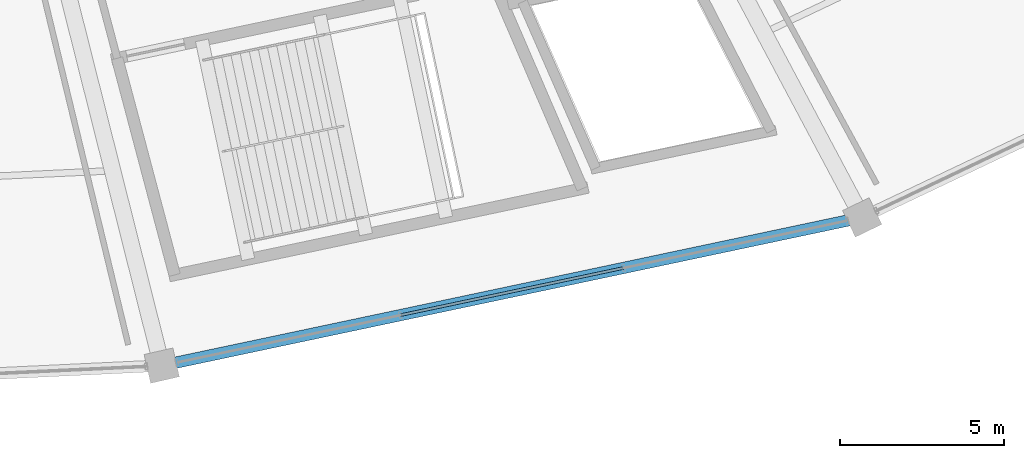
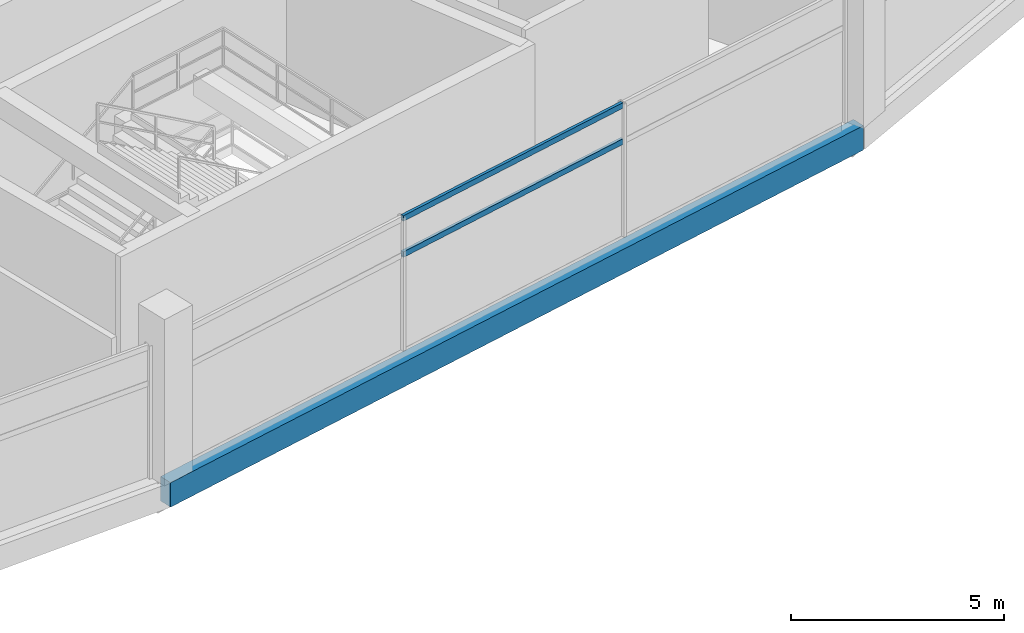
# One storey, part 50 of 171: 2 members, 1 beam, 1 element without a shape of its own.
"""IFC4 building model written with IfcOpenShell, lengths in metres."""

import ifcopenshell
import ifcopenshell.guid

model = None  # the IFC model being written
_history = None  # IfcOwnerHistory: only IFC2X3 demands one
_inside = {}  # id of a spatial element -> (the spatial element, [elements in it])
_under = {}  # id of a project, library or spatial element -> (it, [spatial elements below it])
_declared = {}  # id of a project -> (the project, [libraries it declares])
_typed = {}  # id of a type object -> (the type object, [elements of that type])
_made_of = {}  # id of a material, layer set ... -> (it, [elements and type objects made of it])


def new_model(schema):
    """Start an empty IFC model of exactly this schema.

    Asked for "IFC4X3", IfcOpenShell would pick the latest addendum, in which some entities
    have other attributes; the version numbers below select the first issue.
    IFC2X3 requires an IfcOwnerHistory on every rooted entity: one is made here for all.
    """
    global model, _history
    if schema == "IFC4X3":
        model = ifcopenshell.file(schema_version=(4, 3, 0, 0))
    else:
        model = ifcopenshell.file(schema=schema)
    _inside.clear()
    _under.clear()
    _declared.clear()
    _typed.clear()
    _made_of.clear()
    _history = None
    if model.schema == "IFC2X3":
        org = make("IfcOrganization", Name="unknown")
        user = make(
            "IfcPersonAndOrganization",
            ThePerson=make("IfcPerson", FamilyName="unknown"),
            TheOrganization=org,
        )
        app = make(
            "IfcApplication",
            ApplicationDeveloper=org,
            Version="unknown",
            ApplicationFullName="unknown",
            ApplicationIdentifier="unknown",
        )
        _history = make(
            "IfcOwnerHistory",
            OwningUser=user,
            OwningApplication=app,
            ChangeAction="ADDED",
            CreationDate=0,
        )
    return model


def make(cls, **values):
    """One entity of the class cls with the attributes given. An attribute that is None is left unset."""
    return model.create_entity(
        cls, **{name: value for name, value in values.items() if value is not None}
    )


def rooted(cls, **values):
    """An entity with a GlobalId (a new one), such as an element, a storey or a relation."""
    return make(cls, GlobalId=ifcopenshell.guid.new(), OwnerHistory=_history, **values)


def si_unit(unit_type, name, prefix=None):
    """IfcSIUnit, for example si_unit("LENGTHUNIT", "METRE", prefix="MILLI")."""
    return make("IfcSIUnit", UnitType=unit_type, Prefix=prefix, Name=name)


def assignment(units):
    """IfcUnitAssignment: the units of a project."""
    return None if units is None else make("IfcUnitAssignment", Units=units)


def point(xyz):
    """IfcCartesianPoint."""
    return None if xyz is None else make("IfcCartesianPoint", Coordinates=xyz)


def direction(xyz):
    """IfcDirection."""
    return None if xyz is None else make("IfcDirection", DirectionRatios=xyz)


def frame(location, z_axis=None, x_axis=None):
    """IfcAxis2Placement3D, a coordinate frame: its origin and axes. An axis left out is left unset."""
    return make(
        "IfcAxis2Placement3D",
        Location=point(location),
        Axis=direction(z_axis),
        RefDirection=direction(x_axis),
    )


def frame_2d(location, x_axis=None):
    """IfcAxis2Placement2D, a coordinate frame in the plane: its origin and x axis."""
    return make(
        "IfcAxis2Placement2D", Location=point(location), RefDirection=direction(x_axis)
    )


def origin():
    """The frame at (0, 0, 0) with its axes left unset."""
    return frame((0.0, 0.0, 0.0))


def origin_2d():
    """The frame at (0, 0) in the plane with its x axis left unset."""
    return frame_2d((0.0, 0.0))


def place(relative_to, where):
    """IfcLocalPlacement: puts the frame where relative to a parent placement (None: the world)."""
    return make(
        "IfcLocalPlacement", PlacementRelTo=relative_to, RelativePlacement=where
    )


def context(
    kind, dimensions, precision=None, world=None, true_north=None, identifier=None
):
    """IfcGeometricRepresentationContext, for example the 3D "Model" context."""
    return make(
        "IfcGeometricRepresentationContext",
        ContextIdentifier=identifier,
        ContextType=kind,
        CoordinateSpaceDimension=dimensions,
        Precision=precision,
        WorldCoordinateSystem=world,
        TrueNorth=true_north,
    )


def subcontext(parent, identifier, kind, view, scale=None):
    """IfcGeometricRepresentationSubContext, for example "Body" below "Model"."""
    return make(
        "IfcGeometricRepresentationSubContext",
        ContextIdentifier=identifier,
        ContextType=kind,
        ParentContext=parent,
        TargetScale=scale,
        TargetView=view,
    )


def project(units=None, contexts=None):
    """IfcProject with its units and contexts."""
    return rooted(
        "IfcProject",
        Name="project",
        RepresentationContexts=contexts,
        UnitsInContext=assignment(units),
    )


def spatial(cls, under=None, at=None, **own):
    """A site, building, storey or space (cls), placed at a placement, below another one or the project."""
    s = rooted(cls, ObjectPlacement=at, **own)
    if under is not None:
        _under.setdefault(under.id(), (under, []))[1].append(s)
    return s


def profile(cls, at=None, kind="AREA", **sizes):
    """A parametric profile (cls). Its sizes go by their IFC names, for example OverallWidth=200.0."""
    return make(cls, ProfileType=kind, Position=at, **sizes)


def rectangle(**sizes):
    """IfcRectangleProfileDef."""
    return profile("IfcRectangleProfileDef", **sizes)


def hollow_rectangle(**sizes):
    """IfcRectangleHollowProfileDef."""
    return profile("IfcRectangleHollowProfileDef", **sizes)


def extrude(swept, where, along, depth):
    """IfcExtrudedAreaSolid: the profile swept, set in the frame where, extruded along a direction by depth."""
    return make(
        "IfcExtrudedAreaSolid",
        SweptArea=swept,
        Position=where,
        ExtrudedDirection=direction(along),
        Depth=depth,
    )


def shape(context_of_items, identifier, shape_type, items):
    """IfcShapeRepresentation: the items that make up one representation, for example the "Body"."""
    return make(
        "IfcShapeRepresentation",
        ContextOfItems=context_of_items,
        RepresentationIdentifier=identifier,
        RepresentationType=shape_type,
        Items=items,
    )


def material(Name=None, Category=None):
    """IfcMaterial."""
    return make("IfcMaterial", Name=Name, Category=Category)


def layer(
    of_material, thickness, ventilated=None, Name=None, Category=None, Priority=None
):
    """IfcMaterialLayer: one layer of a wall or slab, of a material (None: an air gap)."""
    return make(
        "IfcMaterialLayer",
        Material=of_material,
        LayerThickness=thickness,
        IsVentilated=ventilated,
        Name=Name,
        Category=Category,
        Priority=Priority,
    )


def layer_set(layers, Name=None):
    """IfcMaterialLayerSet."""
    return make("IfcMaterialLayerSet", MaterialLayers=layers, LayerSetName=Name)


def material_profile(
    of_material, cross_section, Name=None, Category=None, Priority=None
):
    """IfcMaterialProfile: a cross section and its material."""
    return make(
        "IfcMaterialProfile",
        Name=Name,
        Material=of_material,
        Profile=cross_section,
        Priority=Priority,
        Category=Category,
    )


def profile_set(profiles, Name=None, composite=None):
    """IfcMaterialProfileSet."""
    return make(
        "IfcMaterialProfileSet",
        Name=Name,
        MaterialProfiles=profiles,
        CompositeProfile=composite,
    )


def made_of(thing, what):
    """Note that an element or type object is made of a material, layer set ...; save() writes the relation."""
    if what is not None:
        _made_of.setdefault(what.id(), (what, []))[1].append(thing)
    return thing


def type_object(cls, material=None, **own):
    """A type object (cls), such as IfcWallType, which elements share."""
    return made_of(rooted(cls, **own), material)


def element(
    cls,
    number,
    at=None,
    inside=None,
    cuts=None,
    type_object=None,
    material=None,
    context=None,
    identifier="Body",
    shape_type=None,
    held_by="IfcProductDefinitionShape",
    body=None,
    shapes=None,
    **own,
):
    """One element of the class cls, such as IfcWall. Its Tag is "e" and its number.

    at: its placement. inside: the storey or other place that contains it. cuts: it is an
    opening in that element (IfcRelVoidsElement). A single representation is given by context,
    identifier, shape_type and body (its items); several are given by shapes. held_by: the class
    of the entity that holds the representations. save() writes the other relations.
    """
    e = rooted(cls, Tag="e%d" % number, ObjectPlacement=at, **own)
    if body is not None:
        shapes = [shape(context, identifier, shape_type, body)]
    if shapes is not None:
        e.Representation = make(held_by, Representations=shapes)
    if inside is not None:
        _inside.setdefault(inside.id(), (inside, []))[1].append(e)
    if cuts is not None:
        rooted(
            "IfcRelVoidsElement", RelatingBuildingElement=cuts, RelatedOpeningElement=e
        )
    if type_object is not None:
        _typed.setdefault(type_object.id(), (type_object, []))[1].append(e)
    return made_of(e, material)


def aggregate(whole, parts):
    """IfcRelAggregates: a whole, such as a stair, and the parts it consists of."""
    return rooted("IfcRelAggregates", RelatingObject=whole, RelatedObjects=parts)


def save(model, path):
    """Write the relations noted so far, then the file.

    IfcRelAggregates (storeys below a building ...), IfcRelContainedInSpatialStructure (elements
    in a storey), IfcRelDefinesByType, IfcRelAssociatesMaterial and IfcRelDeclares: one each for
    every whole, place, type object, material and project.
    """
    for whole, parts in _under.values():
        aggregate(whole, parts)
    for where, things in _inside.values():
        rooted(
            "IfcRelContainedInSpatialStructure",
            RelatedElements=things,
            RelatingStructure=where,
        )
    for kind, things in _typed.values():
        rooted("IfcRelDefinesByType", RelatedObjects=things, RelatingType=kind)
    for what, things in _made_of.values():
        rooted("IfcRelAssociatesMaterial", RelatedObjects=things, RelatingMaterial=what)
    for by, libraries in _declared.values():
        rooted("IfcRelDeclares", RelatingContext=by, RelatedDefinitions=libraries)
    model.write(path)


model = new_model("IFC4")

# Units and contexts
model_context = context("Model", 3, precision=1e-05, world=origin(), true_north=direction((0.0, 1.0)))
body_context = subcontext(model_context, "Body", "Model", "MODEL_VIEW")
ifc_project = project(units=[si_unit("LENGTHUNIT", "METRE"), si_unit("AREAUNIT", "SQUARE_METRE"), si_unit("VOLUMEUNIT", "CUBIC_METRE"), si_unit("PLANEANGLEUNIT", "RADIAN"), si_unit("MASSUNIT", "GRAM", prefix="KILO")], contexts=[model_context])

# Site, building, storey
site_placement = place(None, origin())
site = spatial("IfcSite", under=ifc_project, at=site_placement, CompositionType="ELEMENT")
building_placement = place(site_placement, origin())
building = spatial("IfcBuilding", under=site, at=building_placement, Name="Kazemori Nagisa Stadium", CompositionType="ELEMENT")
storey_placement = place(building_placement, frame((0.0, 0.0, 15.639892578125)))
storey = spatial("IfcBuildingStorey", under=building, at=storey_placement, Name="L03", CompositionType="ELEMENT", Elevation=15.639892578125)

# Beam
ifc_material_1 = material(Name="Concrete C40/50 (Fc42)", Category="concrete")
ifc_material_profile_1 = material_profile(ifc_material_1, rectangle(XDim=0.35009765625, YDim=0.699951171875, at=origin_2d()), Name="RC-SP-350x700")
ifc_profile_set_1 = profile_set([ifc_material_profile_1], Name="Concrete C40/50 (Fc42)")
beam_type = type_object("IfcBeamType", Name="Beam_BS-RC350X700", PredefinedType="SPANDREL", material=ifc_profile_set_1)
beam_placement = place(storey_placement, frame((144.427734375, 17.01318359375, -0.60986328125), z_axis=(0.97834587432, 0.206976689994, 0.0), x_axis=(-0.206976689994, 0.97834587432, 0.0)))
element("IfcBeam", 1, at=beam_placement, inside=storey, type_object=beam_type, Name="Ring girder BS-RC350X700 L03 R3-23", PredefinedType="SPANDREL", context=body_context, shape_type="SweptSolid", body=[
    extrude(rectangle(XDim=0.35009765625, YDim=0.699951171875, at=origin_2d()), origin(), (0.0, 0.0, 1.0), 21.85009765625),
])

# Curtain wall, members
ifc_material_2 = material(Name="Anodised aluminium 6063-T5", Category="aluminium")
ifc_layer = layer(ifc_material_2, 0.2099609375, Name="Anodised aluminium 6063-T5", Category="aluminium")
ifc_layer_set = layer_set([ifc_layer], Name="Anodised aluminium 6063-T5")
curtain_wall_type = type_object("IfcCurtainWallType", Name="CW_L03R3_105", PredefinedType="USERDEFINED", material=ifc_layer_set)
curtain_wall_placement = place(storey_placement, origin())
curtain_wall = element("IfcCurtainWall", 2, at=curtain_wall_placement, inside=storey, type_object=curtain_wall_type, Name="Unitised curtain wall CW-L03R3-105 L03", ObjectType="UNITISED CURTAIN WALL", PredefinedType="USERDEFINED")
ifc_material_3 = material(Name="Aluminium 6063-T5 anodised", Category="aluminium")
ifc_material_profile_2 = material_profile(ifc_material_3, hollow_rectangle(XDim=0.080078125, YDim=0.159912109375, WallThickness=0.00390625, at=origin_2d()), Name="ALU-TRAN-80x160x4")
ifc_profile_set_2 = profile_set([ifc_material_profile_2], Name="Aluminium 6063-T5 anodised")
member_type = type_object("IfcMemberType", Name="Transom_T02", PredefinedType="USERDEFINED", material=ifc_profile_set_2)
member_1_placement = place(storey_placement, frame((151.727783203125, 18.5576171875, 2.705322265625), z_axis=(0.978348879673, 0.20696248366, 0.0), x_axis=(-0.20696248366, 0.978348879673, 0.0)))
member_1 = element("IfcMember", 3, at=member_1_placement, type_object=member_type, Name="Curtain wall transom CW-L03R3-105-T2-mid", ObjectType="TRANSOM", PredefinedType="USERDEFINED", context=body_context, shape_type="SweptSolid", body=[
    extrude(hollow_rectangle(XDim=0.080078125, YDim=0.159912109375, WallThickness=0.00390625, at=origin_2d()), origin(), (0.0, 0.0, 1.0), 6.9267578125),
])
member_2_placement = place(storey_placement, frame((151.727783203125, 18.5576171875, 3.739990234375), z_axis=(0.978348879673, 0.20696248366, 0.0), x_axis=(-0.20696248366, 0.978348879673, 0.0)))
member_2 = element("IfcMember", 4, at=member_2_placement, type_object=member_type, Name="Curtain wall transom CW-L03R3-105-T2-head", ObjectType="TRANSOM", PredefinedType="USERDEFINED", context=body_context, shape_type="SweptSolid", body=[
    extrude(hollow_rectangle(XDim=0.080078125, YDim=0.159912109375, WallThickness=0.00390625, at=origin_2d()), origin(), (0.0, 0.0, 1.0), 6.9267578125),
])
aggregate(curtain_wall, [member_1, member_2])

save(model, "model.ifc")
